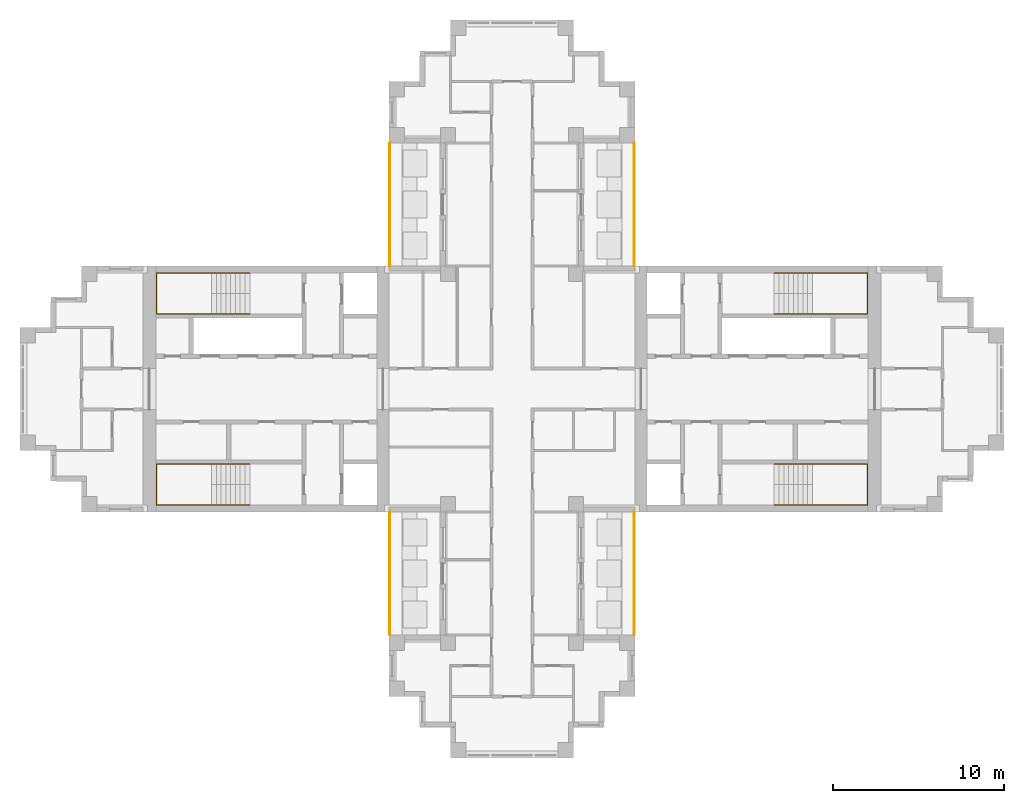
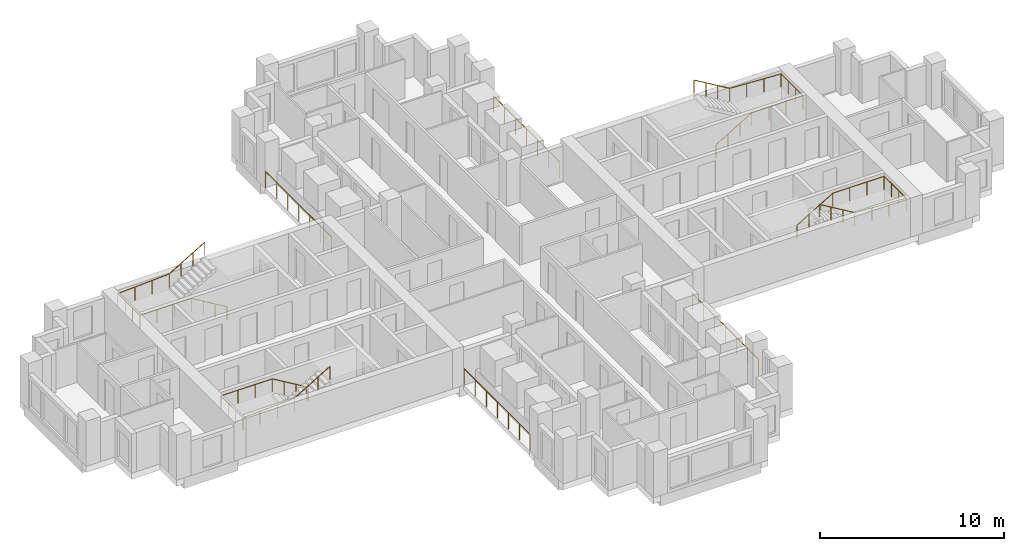
# One storey, part 9 of 10: 8 railings.
"""IFC4 building model written with IfcOpenShell, lengths in metres."""

from ifc_helpers import new_model, si_unit, direction, frame, origin, origin_2d, place, context, subcontext, project, spatial, circle, extrude, material, type_object, element, save


model = new_model("IFC4")

# Units and contexts
model_context = context("Model", 3, precision=1e-05, world=origin(), true_north=direction((0.0, 1.0)))
body_context = subcontext(model_context, "Body", "Model", "MODEL_VIEW")
ifc_project = project(units=[si_unit("LENGTHUNIT", "METRE"), si_unit("AREAUNIT", "SQUARE_METRE"), si_unit("VOLUMEUNIT", "CUBIC_METRE"), si_unit("PLANEANGLEUNIT", "RADIAN"), si_unit("MASSUNIT", "GRAM", prefix="KILO")], contexts=[model_context])

# Site, building, storey
site_placement = place(None, origin())
site = spatial("IfcSite", under=ifc_project, at=site_placement, CompositionType="ELEMENT")
building_placement = place(site_placement, origin())
building = spatial("IfcBuilding", under=site, at=building_placement, Name="Fustian Cross Tower", CompositionType="ELEMENT")
storey_placement = place(building_placement, frame((0.0, 0.0, 201.89990234375)))
storey = spatial("IfcBuildingStorey", under=building, at=storey_placement, Name="L63", CompositionType="ELEMENT", Elevation=201.89990234375)

# Railings
ifc_material_1 = material(Name="Stainless steel and glass", Category="steel")
railing_type_1 = type_object("IfcRailingType", Name="GR1 BALCONY GUARD 1100", PredefinedType="GUARDRAIL", material=ifc_material_1)
for number, where, name in (
    (1, (7.14990234375, 7.199951171875, 0.0), "Balcony guard"),
    (2, (-7.14990234375, 7.199951171875, 0.0), "Balcony guard"),
    (3, (7.14990234375, -14.39990234375, 0.0), "Balcony guard"),
    (4, (-7.14990234375, -14.39990234375, 0.0), "Balcony guard"),
):
    element("IfcRailing", number, at=place(storey_placement, frame(where)), inside=storey, type_object=railing_type_1, Name=name, PredefinedType="GUARDRAIL", context=body_context, shape_type="SweptSolid", body=[
        extrude(circle(Radius=0.02392578125, at=origin_2d()), frame((0.0, 0.0, 1.076171875), z_axis=(0.0, 1.0, 0.0), x_axis=(-1.0, 0.0, 0.0)), (0.0, 0.0, 1.0), 7.199951171875),
        extrude(circle(Radius=0.02099609375, at=origin_2d()), origin(), (0.0, 0.0, 1.0), 1.052001953125),
        extrude(circle(Radius=0.02099609375, at=origin_2d()), frame((0.0, 1.199951171875, 0.0)), (0.0, 0.0, 1.0), 1.052001953125),
        extrude(circle(Radius=0.02099609375, at=origin_2d()), frame((0.0, 2.39990234375, 0.0)), (0.0, 0.0, 1.0), 1.052001953125),
        extrude(circle(Radius=0.02099609375, at=origin_2d()), frame((0.0, 3.60009765625, 0.0)), (0.0, 0.0, 1.0), 1.052001953125),
        extrude(circle(Radius=0.02099609375, at=origin_2d()), frame((0.0, 4.800048828125, 0.0)), (0.0, 0.0, 1.0), 1.052001953125),
        extrude(circle(Radius=0.02099609375, at=origin_2d()), frame((0.0, 6.0, 0.0)), (0.0, 0.0, 1.0), 1.052001953125),
        extrude(circle(Radius=0.02099609375, at=origin_2d()), frame((0.0, 7.199951171875, 0.0)), (0.0, 0.0, 1.0), 1.052001953125),
    ])
ifc_material_2 = material(Name="Stainless steel", Category="steel")
railing_type_2 = type_object("IfcRailingType", Name="STAIR HANDRAIL", PredefinedType="HANDRAIL", material=ifc_material_2)
railing_1_placement = place(storey_placement, frame((15.35009765625, 4.39990234375, 0.166748046875)))
element("IfcRailing", 5, at=railing_1_placement, inside=storey, type_object=railing_type_2, Name="Stair ST1 handrail 1", PredefinedType="HANDRAIL", context=body_context, shape_type="SweptSolid", body=[
    extrude(circle(Radius=0.02490234375, at=origin_2d()), frame((0.0, 0.0, 0.875), z_axis=(0.859305625298, 0.0, 0.511462454469), x_axis=(0.0, 1.0, 0.0)), (0.0, 0.0, 1.0), 2.606689453125),
    extrude(circle(Radius=0.02490234375, at=origin_2d()), frame((2.239990234375, 0.0, 2.2080078125), z_axis=(1.0, 0.0, 0.0), x_axis=(0.0, 1.0, 0.0)), (0.0, 0.0, 1.0), 3.219970703125),
    extrude(circle(Radius=0.02490234375, at=origin_2d()), frame((5.4599609375, 0.0, 2.2080078125), z_axis=(0.0, 1.0, 0.0), x_axis=(-1.0, 0.0, 0.0)), (0.0, 0.0, 1.0), 2.400146484375),
    extrude(circle(Radius=0.02490234375, at=origin_2d()), frame((5.4599609375, 2.400146484375, 2.2080078125), z_axis=(-0.998661817807, 0.0, 0.051716280352), x_axis=(0.0, -1.0, 0.0)), (0.0, 0.0, 1.0), 3.224365234375),
    extrude(circle(Radius=0.02490234375, at=origin_2d()), frame((2.239990234375, 2.400146484375, 2.375), z_axis=(-0.859305625298, 0.0, 0.511462454469), x_axis=(0.0, -1.0, 0.0)), (0.0, 0.0, 1.0), 2.606689453125),
    extrude(circle(Radius=0.02001953125, at=origin_2d()), origin(), (0.0, 0.0, 1.0), 0.849853515625),
    extrude(circle(Radius=0.02001953125, at=origin_2d()), frame((0.74658203125, 0.0, 0.4443359375)), (0.0, 0.0, 1.0), 0.849853515625),
    extrude(circle(Radius=0.02001953125, at=origin_2d()), frame((1.493408203125, 0.0, 0.888916015625)), (0.0, 0.0, 1.0), 0.849853515625),
    extrude(circle(Radius=0.02001953125, at=origin_2d()), frame((2.239990234375, 0.0, 1.333251953125)), (0.0, 0.0, 1.0), 0.849853515625),
    extrude(circle(Radius=0.02001953125, at=origin_2d()), frame((3.313232421875, 0.0, 1.333251953125)), (0.0, 0.0, 1.0), 0.849853515625),
    extrude(circle(Radius=0.02001953125, at=origin_2d()), frame((4.38671875, 0.0, 1.333251953125)), (0.0, 0.0, 1.0), 0.849853515625),
    extrude(circle(Radius=0.02001953125, at=origin_2d()), frame((5.4599609375, 0.0, 1.333251953125)), (0.0, 0.0, 1.0), 0.849853515625),
    extrude(circle(Radius=0.02001953125, at=origin_2d()), frame((5.4599609375, 0.800048828125, 1.333251953125)), (0.0, 0.0, 1.0), 0.849853515625),
    extrude(circle(Radius=0.02001953125, at=origin_2d()), frame((5.4599609375, 1.60009765625, 1.333251953125)), (0.0, 0.0, 1.0), 0.849853515625),
    extrude(circle(Radius=0.02001953125, at=origin_2d()), frame((5.4599609375, 2.400146484375, 1.333251953125)), (0.0, 0.0, 1.0), 0.849853515625),
    extrude(circle(Radius=0.02001953125, at=origin_2d()), frame((4.38671875, 2.400146484375, 1.388916015625)), (0.0, 0.0, 1.0), 0.849853515625),
    extrude(circle(Radius=0.02001953125, at=origin_2d()), frame((3.313232421875, 2.400146484375, 1.4443359375)), (0.0, 0.0, 1.0), 0.849853515625),
    extrude(circle(Radius=0.02001953125, at=origin_2d()), frame((2.239990234375, 2.400146484375, 1.5)), (0.0, 0.0, 1.0), 0.849853515625),
    extrude(circle(Radius=0.02001953125, at=origin_2d()), frame((1.493408203125, 2.400146484375, 1.9443359375)), (0.0, 0.0, 1.0), 0.849853515625),
    extrude(circle(Radius=0.02001953125, at=origin_2d()), frame((0.74658203125, 2.400146484375, 2.388916015625)), (0.0, 0.0, 1.0), 0.849853515625),
    extrude(circle(Radius=0.02001953125, at=origin_2d()), frame((0.0, 2.400146484375, 2.833251953125)), (0.0, 0.0, 1.0), 0.849853515625),
])
railing_2_placement = place(storey_placement, frame((15.35009765625, -4.39990234375, 0.166748046875)))
element("IfcRailing", 6, at=railing_2_placement, inside=storey, type_object=railing_type_2, Name="Stair ST2 handrail 1", PredefinedType="HANDRAIL", context=body_context, shape_type="SweptSolid", body=[
    extrude(circle(Radius=0.02490234375, at=origin_2d()), frame((0.0, 0.0, 0.875), z_axis=(0.859305625298, 0.0, 0.511462454469), x_axis=(0.0, 1.0, 0.0)), (0.0, 0.0, 1.0), 2.606689453125),
    extrude(circle(Radius=0.02490234375, at=origin_2d()), frame((2.239990234375, 0.0, 2.2080078125), z_axis=(1.0, 0.0, 0.0), x_axis=(0.0, 1.0, 0.0)), (0.0, 0.0, 1.0), 3.219970703125),
    extrude(circle(Radius=0.02490234375, at=origin_2d()), frame((5.4599609375, 0.0, 2.2080078125), z_axis=(0.0, -1.0, 0.0), x_axis=(1.0, 0.0, 0.0)), (0.0, 0.0, 1.0), 2.400146484375),
    extrude(circle(Radius=0.02490234375, at=origin_2d()), frame((5.4599609375, -2.400146484375, 2.2080078125), z_axis=(-0.998661817807, 0.0, 0.051716280352), x_axis=(0.0, -1.0, 0.0)), (0.0, 0.0, 1.0), 3.224365234375),
    extrude(circle(Radius=0.02490234375, at=origin_2d()), frame((2.239990234375, -2.400146484375, 2.375), z_axis=(-0.859305625298, 0.0, 0.511462454469), x_axis=(0.0, -1.0, 0.0)), (0.0, 0.0, 1.0), 2.606689453125),
    extrude(circle(Radius=0.02001953125, at=origin_2d()), origin(), (0.0, 0.0, 1.0), 0.849853515625),
    extrude(circle(Radius=0.02001953125, at=origin_2d()), frame((0.74658203125, 0.0, 0.4443359375)), (0.0, 0.0, 1.0), 0.849853515625),
    extrude(circle(Radius=0.02001953125, at=origin_2d()), frame((1.493408203125, 0.0, 0.888916015625)), (0.0, 0.0, 1.0), 0.849853515625),
    extrude(circle(Radius=0.02001953125, at=origin_2d()), frame((2.239990234375, 0.0, 1.333251953125)), (0.0, 0.0, 1.0), 0.849853515625),
    extrude(circle(Radius=0.02001953125, at=origin_2d()), frame((3.313232421875, 0.0, 1.333251953125)), (0.0, 0.0, 1.0), 0.849853515625),
    extrude(circle(Radius=0.02001953125, at=origin_2d()), frame((4.38671875, 0.0, 1.333251953125)), (0.0, 0.0, 1.0), 0.849853515625),
    extrude(circle(Radius=0.02001953125, at=origin_2d()), frame((5.4599609375, 0.0, 1.333251953125)), (0.0, 0.0, 1.0), 0.849853515625),
    extrude(circle(Radius=0.02001953125, at=origin_2d()), frame((5.4599609375, -0.800048828125, 1.333251953125)), (0.0, 0.0, 1.0), 0.849853515625),
    extrude(circle(Radius=0.02001953125, at=origin_2d()), frame((5.4599609375, -1.60009765625, 1.333251953125)), (0.0, 0.0, 1.0), 0.849853515625),
    extrude(circle(Radius=0.02001953125, at=origin_2d()), frame((5.4599609375, -2.400146484375, 1.333251953125)), (0.0, 0.0, 1.0), 0.849853515625),
    extrude(circle(Radius=0.02001953125, at=origin_2d()), frame((4.38671875, -2.400146484375, 1.388916015625)), (0.0, 0.0, 1.0), 0.849853515625),
    extrude(circle(Radius=0.02001953125, at=origin_2d()), frame((3.313232421875, -2.400146484375, 1.4443359375)), (0.0, 0.0, 1.0), 0.849853515625),
    extrude(circle(Radius=0.02001953125, at=origin_2d()), frame((2.239990234375, -2.400146484375, 1.5)), (0.0, 0.0, 1.0), 0.849853515625),
    extrude(circle(Radius=0.02001953125, at=origin_2d()), frame((1.493408203125, -2.400146484375, 1.9443359375)), (0.0, 0.0, 1.0), 0.849853515625),
    extrude(circle(Radius=0.02001953125, at=origin_2d()), frame((0.74658203125, -2.400146484375, 2.388916015625)), (0.0, 0.0, 1.0), 0.849853515625),
    extrude(circle(Radius=0.02001953125, at=origin_2d()), frame((0.0, -2.400146484375, 2.833251953125)), (0.0, 0.0, 1.0), 0.849853515625),
])
railing_3_placement = place(storey_placement, frame((-15.35009765625, 4.39990234375, 0.166748046875)))
element("IfcRailing", 7, at=railing_3_placement, inside=storey, type_object=railing_type_2, Name="Stair ST3 handrail 1", PredefinedType="HANDRAIL", context=body_context, shape_type="SweptSolid", body=[
    extrude(circle(Radius=0.02490234375, at=origin_2d()), frame((0.0, 0.0, 0.875), z_axis=(-0.859305625298, 0.0, 0.511462454469), x_axis=(0.0, -1.0, 0.0)), (0.0, 0.0, 1.0), 2.606689453125),
    extrude(circle(Radius=0.02490234375, at=origin_2d()), frame((-2.239990234375, 0.0, 2.2080078125), z_axis=(-1.0, 0.0, 0.0), x_axis=(0.0, -1.0, 0.0)), (0.0, 0.0, 1.0), 3.219970703125),
    extrude(circle(Radius=0.02490234375, at=origin_2d()), frame((-5.4599609375, 0.0, 2.2080078125), z_axis=(0.0, 1.0, 0.0), x_axis=(-1.0, 0.0, 0.0)), (0.0, 0.0, 1.0), 2.400146484375),
    extrude(circle(Radius=0.02490234375, at=origin_2d()), frame((-5.4599609375, 2.400146484375, 2.2080078125), z_axis=(0.998661817807, 0.0, 0.051716280352), x_axis=(0.0, 1.0, 0.0)), (0.0, 0.0, 1.0), 3.224365234375),
    extrude(circle(Radius=0.02490234375, at=origin_2d()), frame((-2.239990234375, 2.400146484375, 2.375), z_axis=(0.859305625298, 0.0, 0.511462454469), x_axis=(0.0, 1.0, 0.0)), (0.0, 0.0, 1.0), 2.606689453125),
    extrude(circle(Radius=0.02001953125, at=origin_2d()), origin(), (0.0, 0.0, 1.0), 0.849853515625),
    extrude(circle(Radius=0.02001953125, at=origin_2d()), frame((-0.74658203125, 0.0, 0.4443359375)), (0.0, 0.0, 1.0), 0.849853515625),
    extrude(circle(Radius=0.02001953125, at=origin_2d()), frame((-1.493408203125, 0.0, 0.888916015625)), (0.0, 0.0, 1.0), 0.849853515625),
    extrude(circle(Radius=0.02001953125, at=origin_2d()), frame((-2.239990234375, 0.0, 1.333251953125)), (0.0, 0.0, 1.0), 0.849853515625),
    extrude(circle(Radius=0.02001953125, at=origin_2d()), frame((-3.313232421875, 0.0, 1.333251953125)), (0.0, 0.0, 1.0), 0.849853515625),
    extrude(circle(Radius=0.02001953125, at=origin_2d()), frame((-4.38671875, 0.0, 1.333251953125)), (0.0, 0.0, 1.0), 0.849853515625),
    extrude(circle(Radius=0.02001953125, at=origin_2d()), frame((-5.4599609375, 0.0, 1.333251953125)), (0.0, 0.0, 1.0), 0.849853515625),
    extrude(circle(Radius=0.02001953125, at=origin_2d()), frame((-5.4599609375, 0.800048828125, 1.333251953125)), (0.0, 0.0, 1.0), 0.849853515625),
    extrude(circle(Radius=0.02001953125, at=origin_2d()), frame((-5.4599609375, 1.60009765625, 1.333251953125)), (0.0, 0.0, 1.0), 0.849853515625),
    extrude(circle(Radius=0.02001953125, at=origin_2d()), frame((-5.4599609375, 2.400146484375, 1.333251953125)), (0.0, 0.0, 1.0), 0.849853515625),
    extrude(circle(Radius=0.02001953125, at=origin_2d()), frame((-4.38671875, 2.400146484375, 1.388916015625)), (0.0, 0.0, 1.0), 0.849853515625),
    extrude(circle(Radius=0.02001953125, at=origin_2d()), frame((-3.313232421875, 2.400146484375, 1.4443359375)), (0.0, 0.0, 1.0), 0.849853515625),
    extrude(circle(Radius=0.02001953125, at=origin_2d()), frame((-2.239990234375, 2.400146484375, 1.5)), (0.0, 0.0, 1.0), 0.849853515625),
    extrude(circle(Radius=0.02001953125, at=origin_2d()), frame((-1.493408203125, 2.400146484375, 1.9443359375)), (0.0, 0.0, 1.0), 0.849853515625),
    extrude(circle(Radius=0.02001953125, at=origin_2d()), frame((-0.74658203125, 2.400146484375, 2.388916015625)), (0.0, 0.0, 1.0), 0.849853515625),
    extrude(circle(Radius=0.02001953125, at=origin_2d()), frame((0.0, 2.400146484375, 2.833251953125)), (0.0, 0.0, 1.0), 0.849853515625),
])
railing_4_placement = place(storey_placement, frame((-15.35009765625, -4.39990234375, 0.166748046875)))
element("IfcRailing", 8, at=railing_4_placement, inside=storey, type_object=railing_type_2, Name="Stair ST4 handrail 1", PredefinedType="HANDRAIL", context=body_context, shape_type="SweptSolid", body=[
    extrude(circle(Radius=0.02490234375, at=origin_2d()), frame((0.0, 0.0, 0.875), z_axis=(-0.859305625298, 0.0, 0.511462454469), x_axis=(0.0, -1.0, 0.0)), (0.0, 0.0, 1.0), 2.606689453125),
    extrude(circle(Radius=0.02490234375, at=origin_2d()), frame((-2.239990234375, 0.0, 2.2080078125), z_axis=(-1.0, 0.0, 0.0), x_axis=(0.0, -1.0, 0.0)), (0.0, 0.0, 1.0), 3.219970703125),
    extrude(circle(Radius=0.02490234375, at=origin_2d()), frame((-5.4599609375, 0.0, 2.2080078125), z_axis=(0.0, -1.0, 0.0), x_axis=(1.0, 0.0, 0.0)), (0.0, 0.0, 1.0), 2.400146484375),
    extrude(circle(Radius=0.02490234375, at=origin_2d()), frame((-5.4599609375, -2.400146484375, 2.2080078125), z_axis=(0.998661817807, 0.0, 0.051716280352), x_axis=(0.0, 1.0, 0.0)), (0.0, 0.0, 1.0), 3.224365234375),
    extrude(circle(Radius=0.02490234375, at=origin_2d()), frame((-2.239990234375, -2.400146484375, 2.375), z_axis=(0.859305625298, 0.0, 0.511462454469), x_axis=(0.0, 1.0, 0.0)), (0.0, 0.0, 1.0), 2.606689453125),
    extrude(circle(Radius=0.02001953125, at=origin_2d()), origin(), (0.0, 0.0, 1.0), 0.849853515625),
    extrude(circle(Radius=0.02001953125, at=origin_2d()), frame((-0.74658203125, 0.0, 0.4443359375)), (0.0, 0.0, 1.0), 0.849853515625),
    extrude(circle(Radius=0.02001953125, at=origin_2d()), frame((-1.493408203125, 0.0, 0.888916015625)), (0.0, 0.0, 1.0), 0.849853515625),
    extrude(circle(Radius=0.02001953125, at=origin_2d()), frame((-2.239990234375, 0.0, 1.333251953125)), (0.0, 0.0, 1.0), 0.849853515625),
    extrude(circle(Radius=0.02001953125, at=origin_2d()), frame((-3.313232421875, 0.0, 1.333251953125)), (0.0, 0.0, 1.0), 0.849853515625),
    extrude(circle(Radius=0.02001953125, at=origin_2d()), frame((-4.38671875, 0.0, 1.333251953125)), (0.0, 0.0, 1.0), 0.849853515625),
    extrude(circle(Radius=0.02001953125, at=origin_2d()), frame((-5.4599609375, 0.0, 1.333251953125)), (0.0, 0.0, 1.0), 0.849853515625),
    extrude(circle(Radius=0.02001953125, at=origin_2d()), frame((-5.4599609375, -0.800048828125, 1.333251953125)), (0.0, 0.0, 1.0), 0.849853515625),
    extrude(circle(Radius=0.02001953125, at=origin_2d()), frame((-5.4599609375, -1.60009765625, 1.333251953125)), (0.0, 0.0, 1.0), 0.849853515625),
    extrude(circle(Radius=0.02001953125, at=origin_2d()), frame((-5.4599609375, -2.400146484375, 1.333251953125)), (0.0, 0.0, 1.0), 0.849853515625),
    extrude(circle(Radius=0.02001953125, at=origin_2d()), frame((-4.38671875, -2.400146484375, 1.388916015625)), (0.0, 0.0, 1.0), 0.849853515625),
    extrude(circle(Radius=0.02001953125, at=origin_2d()), frame((-3.313232421875, -2.400146484375, 1.4443359375)), (0.0, 0.0, 1.0), 0.849853515625),
    extrude(circle(Radius=0.02001953125, at=origin_2d()), frame((-2.239990234375, -2.400146484375, 1.5)), (0.0, 0.0, 1.0), 0.849853515625),
    extrude(circle(Radius=0.02001953125, at=origin_2d()), frame((-1.493408203125, -2.400146484375, 1.9443359375)), (0.0, 0.0, 1.0), 0.849853515625),
    extrude(circle(Radius=0.02001953125, at=origin_2d()), frame((-0.74658203125, -2.400146484375, 2.388916015625)), (0.0, 0.0, 1.0), 0.849853515625),
    extrude(circle(Radius=0.02001953125, at=origin_2d()), frame((0.0, -2.400146484375, 2.833251953125)), (0.0, 0.0, 1.0), 0.849853515625),
])

save(model, "model.ifc")
